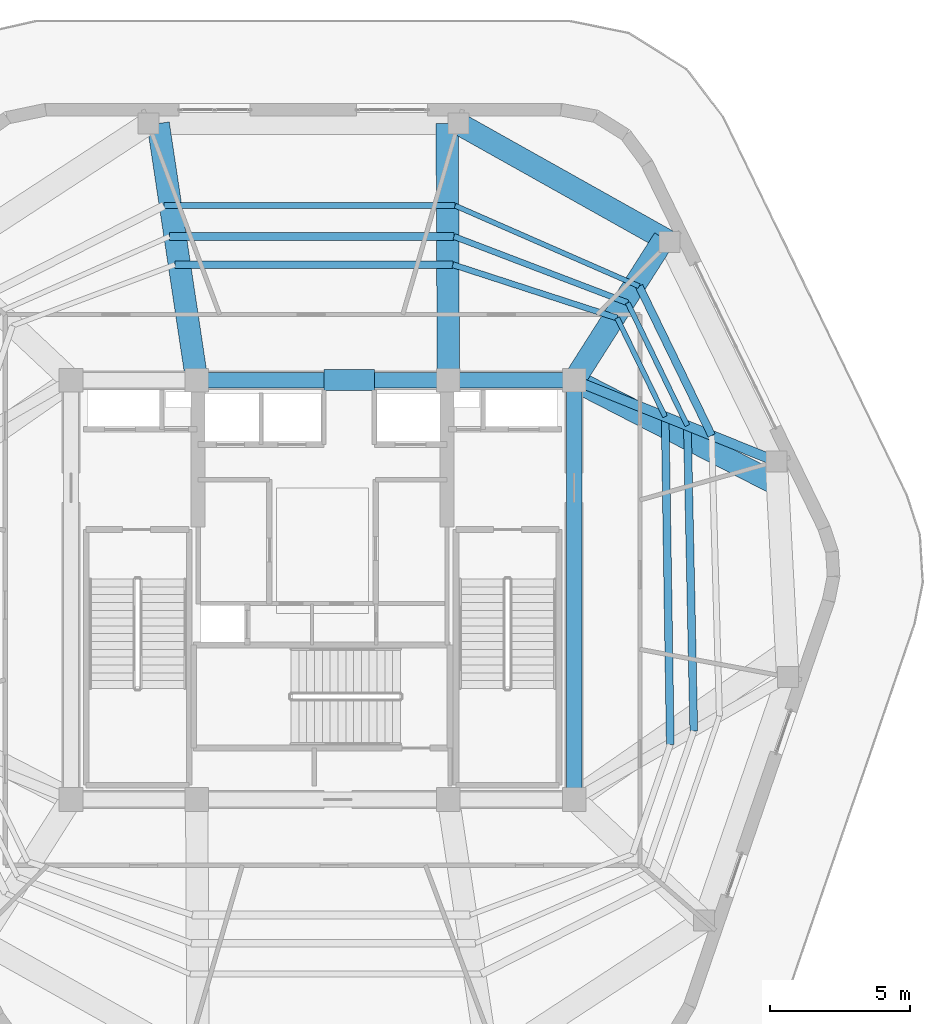
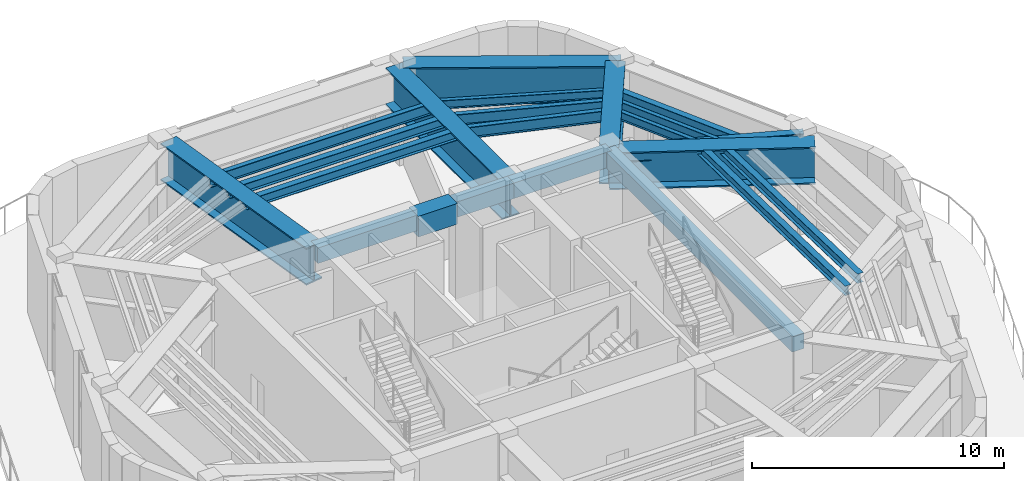
# One storey, part 10 of 24: 21 beams.
"""IFC4 building model written with IfcOpenShell, lengths in metres."""

from ifc_helpers import new_model, si_unit, direction, frame, origin, origin_2d, place, context, subcontext, project, spatial, rectangle, i_section, extrude, material, material_profile, profile_set, type_object, element, save


model = new_model("IFC4")

# Units and contexts
model_context = context("Model", 3, precision=1e-05, world=origin(), true_north=direction((0.0, 1.0)))
body_context = subcontext(model_context, "Body", "Model", "MODEL_VIEW")
ifc_project = project(units=[si_unit("LENGTHUNIT", "METRE"), si_unit("AREAUNIT", "SQUARE_METRE"), si_unit("VOLUMEUNIT", "CUBIC_METRE"), si_unit("PLANEANGLEUNIT", "RADIAN"), si_unit("MASSUNIT", "GRAM", prefix="KILO")], contexts=[model_context])

# Site, building, storey
site_placement = place(None, origin())
site = spatial("IfcSite", under=ifc_project, at=site_placement, CompositionType="ELEMENT")
building_placement = place(site_placement, origin())
building = spatial("IfcBuilding", under=site, at=building_placement, Name="Kilnhurst Terrace Hotel", CompositionType="ELEMENT")
storey_placement = place(building_placement, frame((0.0, 0.0, 305.39990234375)))
storey = spatial("IfcBuildingStorey", under=building, at=storey_placement, Name="L76", CompositionType="ELEMENT", Elevation=305.39990234375)

# Beams
ifc_material_1 = material(Name="Concrete C50/60", Category="concrete")
ifc_material_profile_1 = material_profile(ifc_material_1, rectangle(XDim=0.550048828125, YDim=0.75, at=origin_2d()), Name="RC550X750")
ifc_profile_set_1 = profile_set([ifc_material_profile_1], Name="Concrete C50/60")
beam_type_1 = type_object("IfcBeamType", Name="BM-SPN-550X750", PredefinedType="SPANDREL", material=ifc_profile_set_1)
beam_1_placement = place(storey_placement, frame((-4.5, 7.5, 4.30517578125), z_axis=(1.0, 0.0, 0.0), x_axis=(0.0, 1.0, 0.0)))
element("IfcBeam", 1, at=beam_1_placement, inside=storey, type_object=beam_type_1, Name="L76 Core Tie Beam CC-NC1 to CC-NC2", PredefinedType="SPANDREL", context=body_context, shape_type="SweptSolid", body=[
    extrude(rectangle(XDim=0.550048828125, YDim=0.75, at=origin_2d()), origin(), (0.0, 0.0, 1.0), 9.0),
])
beam_2_placement = place(storey_placement, frame((4.5, 7.5, 4.30517578125), z_axis=(1.0, 0.0, 0.0), x_axis=(0.0, 1.0, 0.0)))
element("IfcBeam", 2, at=beam_2_placement, inside=storey, type_object=beam_type_1, Name="L76 Core Tie Beam CC-NC2 to CC-NE", PredefinedType="SPANDREL", context=body_context, shape_type="SweptSolid", body=[
    extrude(rectangle(XDim=0.550048828125, YDim=0.75, at=origin_2d()), origin(), (0.0, 0.0, 1.0), 4.5),
])
beam_3_placement = place(storey_placement, frame((9.0, -7.5, 4.30517578125), z_axis=(0.0, 1.0, 0.0), x_axis=(-1.0, 0.0, 0.0)))
element("IfcBeam", 3, at=beam_3_placement, inside=storey, type_object=beam_type_1, Name="L76 Core Tie Beam CC-SE to CC-NE", PredefinedType="SPANDREL", context=body_context, shape_type="SweptSolid", body=[
    extrude(rectangle(XDim=0.550048828125, YDim=0.75, at=origin_2d()), origin(), (0.0, 0.0, 1.0), 15.0),
])
ifc_material_2 = material(Name="Steel ASTM A992 Grade 50", Category="steel")
ifc_material_profile_2 = material_profile(ifc_material_2, i_section(OverallWidth=0.354736328125, OverallDepth=0.695556640625, WebThickness=0.015380859375, FlangeThickness=0.025146484375, at=origin_2d()), Name="W27X146")
ifc_profile_set_2 = profile_set([ifc_material_profile_2], Name="Steel ASTM A992 Grade 50")
beam_type_2 = type_object("IfcBeamType", Name="BM-STL-W27X146", PredefinedType="BEAM", material=ifc_profile_set_2)
beam_4_placement = place(storey_placement, frame((9.0, 7.5, 4.33203125), z_axis=(0.927933440457, -0.372745932348, 0.0), x_axis=(0.372745932348, 0.927933440457, 0.0)))
element("IfcBeam", 4, at=beam_4_placement, inside=storey, type_object=beam_type_2, Name="L76 Radial Floor Beam 5", PredefinedType="BEAM", context=body_context, shape_type="SweptSolid", body=[
    extrude(i_section(OverallWidth=0.354736328125, OverallDepth=0.695556640625, WebThickness=0.015380859375, FlangeThickness=0.025146484375, at=origin_2d()), origin(), (0.0, 0.0, 1.0), 7.793701171875),
])
ifc_material_profile_3 = material_profile(ifc_material_2, i_section(OverallWidth=0.180908203125, OverallDepth=0.417236328125, WebThickness=0.010986328125, FlangeThickness=0.018310546875, at=origin_2d()), Name="W16X57")
ifc_profile_set_3 = profile_set([ifc_material_profile_3], Name="Steel ASTM A992 Grade 50")
beam_type_3 = type_object("IfcBeamType", Name="JST-STL-W16X57", PredefinedType="JOIST", material=ifc_profile_set_3)
beam_5_placement = place(storey_placement, frame((11.32421875, 10.861083984375, 4.47119140625), z_axis=(-0.916026239746, 0.401118346746, 0.0), x_axis=(-0.401118346746, -0.916026239746, 0.0)))
element("IfcBeam", 5, at=beam_5_placement, inside=storey, type_object=beam_type_3, Name="L76 Secondary Floor Steel Joist OUT.6", PredefinedType="JOIST", context=body_context, shape_type="SweptSolid", body=[
    extrude(i_section(OverallWidth=0.180908203125, OverallDepth=0.417236328125, WebThickness=0.010986328125, FlangeThickness=0.018310546875, at=origin_2d()), origin(), (0.0, 0.0, 1.0), 7.183349609375),
])
beam_6_placement = place(storey_placement, frame((12.25439453125, 6.19287109375, 4.47119140625), z_axis=(-0.437112375115, 0.899406899863, 0.0), x_axis=(-0.899406899863, -0.437112375115, 0.0)))
element("IfcBeam", 6, at=beam_6_placement, inside=storey, type_object=beam_type_3, Name="L76 Secondary Floor Steel Joist IN.5", PredefinedType="JOIST", context=body_context, shape_type="SweptSolid", body=[
    extrude(i_section(OverallWidth=0.180908203125, OverallDepth=0.417236328125, WebThickness=0.010986328125, FlangeThickness=0.018310546875, at=origin_2d()), origin(), (0.0, 0.0, 1.0), 3.926513671875),
])
beam_7_placement = place(storey_placement, frame((13.0498046875, 5.873291015625, 4.47119140625), z_axis=(-0.437092228786, 0.899416690714, 0.0), x_axis=(-0.899416690714, -0.437092228786, 0.0)))
element("IfcBeam", 7, at=beam_7_placement, inside=storey, type_object=beam_type_3, Name="L76 Secondary Floor Steel Joist MID.5", PredefinedType="JOIST", context=body_context, shape_type="SweptSolid", body=[
    extrude(i_section(OverallWidth=0.180908203125, OverallDepth=0.417236328125, WebThickness=0.010986328125, FlangeThickness=0.018310546875, at=origin_2d()), origin(), (0.0, 0.0, 1.0), 4.88623046875),
])
ifc_material_profile_4 = material_profile(ifc_material_2, i_section(OverallWidth=0.279296875, OverallDepth=0.462890625, WebThickness=0.0107421875, FlangeThickness=0.017333984375, at=origin_2d()), Name="W18X76")
ifc_profile_set_4 = profile_set([ifc_material_profile_4], Name="Steel ASTM A992 Grade 50")
beam_type_4 = type_object("IfcBeamType", Name="JST-STL-W18X76", PredefinedType="JOIST", material=ifc_profile_set_4)
beam_8_placement = place(storey_placement, frame((13.917724609375, 5.524658203125, 4.447998046875), z_axis=(-0.437112271564, 0.899406950189, 0.0), x_axis=(-0.899406950189, -0.437112271564, 0.0)))
element("IfcBeam", 8, at=beam_8_placement, inside=storey, type_object=beam_type_4, Name="L76 Secondary Floor Steel Joist OUT.5", PredefinedType="JOIST", context=body_context, shape_type="SweptSolid", body=[
    extrude(i_section(OverallWidth=0.279296875, OverallDepth=0.462890625, WebThickness=0.0107421875, FlangeThickness=0.017333984375, at=origin_2d()), origin(), (0.0, 0.0, 1.0), 5.933349609375),
])
beam_9_placement = place(storey_placement, frame((12.4384765625, -5.528564453125, 4.447998046875), z_axis=(-0.015702797992, 0.999876703467, 0.0), x_axis=(-0.999876703467, -0.015702797992, 0.0)))
element("IfcBeam", 9, at=beam_9_placement, inside=storey, type_object=beam_type_4, Name="L76 Secondary Floor Steel Joist IN.4", PredefinedType="JOIST", context=body_context, shape_type="SweptSolid", body=[
    extrude(i_section(OverallWidth=0.279296875, OverallDepth=0.462890625, WebThickness=0.0107421875, FlangeThickness=0.017333984375, at=origin_2d()), origin(), (0.0, 0.0, 1.0), 11.722900390625),
])
beam_10_placement = place(storey_placement, frame((4.66162109375, 11.631103515625, 4.447998046875), z_axis=(-1.0, 0.0, 0.0), x_axis=(0.0, -1.0, 0.0)))
element("IfcBeam", 10, at=beam_10_placement, inside=storey, type_object=beam_type_4, Name="L76 Secondary Floor Steel Joist IN.7", PredefinedType="JOIST", context=body_context, shape_type="SweptSolid", body=[
    extrude(i_section(OverallWidth=0.279296875, OverallDepth=0.462890625, WebThickness=0.0107421875, FlangeThickness=0.017333984375, at=origin_2d()), origin(), (0.0, 0.0, 1.0), 9.94189453125),
])
beam_11_placement = place(storey_placement, frame((13.279052734375, -5.046630859375, 4.447998046875), z_axis=(-0.020988936367, 0.999779708011, 0.0), x_axis=(-0.999779708011, -0.020988936367, 0.0)))
element("IfcBeam", 11, at=beam_11_placement, inside=storey, type_object=beam_type_4, Name="L76 Secondary Floor Steel Joist MID.4", PredefinedType="JOIST", context=body_context, shape_type="SweptSolid", body=[
    extrude(i_section(OverallWidth=0.279296875, OverallDepth=0.462890625, WebThickness=0.0107421875, FlangeThickness=0.017333984375, at=origin_2d()), origin(), (0.0, 0.0, 1.0), 10.92236328125),
])
beam_12_placement = place(storey_placement, frame((4.700927734375, 12.640869140625, 4.447998046875), z_axis=(-1.0, 0.0, 0.0), x_axis=(0.0, -1.0, 0.0)))
element("IfcBeam", 12, at=beam_12_placement, inside=storey, type_object=beam_type_4, Name="L76 Secondary Floor Steel Joist MID.7", PredefinedType="JOIST", context=body_context, shape_type="SweptSolid", body=[
    extrude(i_section(OverallWidth=0.279296875, OverallDepth=0.462890625, WebThickness=0.0107421875, FlangeThickness=0.017333984375, at=origin_2d()), origin(), (0.0, 0.0, 1.0), 10.171875),
])
ifc_material_profile_5 = material_profile(ifc_material_2, i_section(OverallWidth=0.2138671875, OverallDepth=0.549072265625, WebThickness=0.0146484375, FlangeThickness=0.023681640625, at=origin_2d()), Name="W21X93")
ifc_profile_set_5 = profile_set([ifc_material_profile_5], Name="Steel ASTM A992 Grade 50")
beam_type_5 = type_object("IfcBeamType", Name="JST-STL-W21X93", PredefinedType="JOIST", material=ifc_profile_set_5)
beam_13_placement = place(storey_placement, frame((4.744140625, 13.742431640625, 4.405029296875), z_axis=(-1.0, 0.0, 0.0), x_axis=(0.0, -1.0, 0.0)))
element("IfcBeam", 13, at=beam_13_placement, inside=storey, type_object=beam_type_5, Name="L76 Secondary Floor Steel Joist OUT.7", PredefinedType="JOIST", context=body_context, shape_type="SweptSolid", body=[
    extrude(i_section(OverallWidth=0.2138671875, OverallDepth=0.549072265625, WebThickness=0.0146484375, FlangeThickness=0.023681640625, at=origin_2d()), origin(), (0.0, 0.0, 1.0), 10.42333984375),
])
beam_14_placement = place(storey_placement, frame((10.5380859375, 9.724365234375, 4.405029296875), z_axis=(-0.951182065755, 0.308630325448, 0.0), x_axis=(-0.308630325448, -0.951182065755, 0.0)))
element("IfcBeam", 14, at=beam_14_placement, inside=storey, type_object=beam_type_5, Name="L76 Secondary Floor Steel Joist IN.6", PredefinedType="JOIST", context=body_context, shape_type="SweptSolid", body=[
    extrude(i_section(OverallWidth=0.2138671875, OverallDepth=0.549072265625, WebThickness=0.0146484375, FlangeThickness=0.023681640625, at=origin_2d()), origin(), (0.0, 0.0, 1.0), 6.177978515625),
])
beam_15_placement = place(storey_placement, frame((10.9140625, 10.26806640625, 4.405029296875), z_axis=(-0.93419258405, 0.356769135305, 0.0), x_axis=(-0.356769135305, -0.93419258405, 0.0)))
element("IfcBeam", 15, at=beam_15_placement, inside=storey, type_object=beam_type_5, Name="L76 Secondary Floor Steel Joist MID.6", PredefinedType="JOIST", context=body_context, shape_type="SweptSolid", body=[
    extrude(i_section(OverallWidth=0.2138671875, OverallDepth=0.549072265625, WebThickness=0.0146484375, FlangeThickness=0.023681640625, at=origin_2d()), origin(), (0.0, 0.0, 1.0), 6.65087890625),
])
ifc_material_3 = material(Name="Concrete C60/75", Category="concrete")
ifc_material_profile_6 = material_profile(ifc_material_3, rectangle(XDim=0.75, YDim=1.0, at=origin_2d()), Name="RC750X1000")
ifc_profile_set_6 = profile_set([ifc_material_profile_6], Name="Concrete C60/75")
beam_type_6 = type_object("IfcBeamType", Name="LNT-CB-750X1000", PredefinedType="LINTEL", material=ifc_profile_set_6)
beam_16_placement = place(storey_placement, frame((0.050048828125, 7.5, 4.18017578125), z_axis=(1.0, 0.0, 0.0), x_axis=(0.0, 1.0, 0.0)))
element("IfcBeam", 16, at=beam_16_placement, inside=storey, type_object=beam_type_6, Name="L76 North Core Coupling Link Beam", PredefinedType="LINTEL", context=body_context, shape_type="SweptSolid", body=[
    extrude(rectangle(XDim=0.75, YDim=1.0, at=origin_2d()), origin(), (0.0, 0.0, 1.0), 1.800048828125),
])
ifc_material_4 = material(Name="Steel ASTM A572 Grade 50", Category="steel")
ifc_material_profile_7 = material_profile(ifc_material_4, i_section(OverallWidth=0.800048828125, OverallDepth=1.800048828125, WebThickness=0.0400390625, FlangeThickness=0.06494140625, at=origin_2d()), Name="PG1800X800")
ifc_profile_set_7 = profile_set([ifc_material_profile_7], Name="Steel ASTM A572 Grade 50")
beam_type_7 = type_object("IfcBeamType", Name="TG-STEP-1800", PredefinedType="USERDEFINED", material=ifc_profile_set_7)
beam_17_placement = place(storey_placement, frame((12.41796875, 12.443115234375, 3.780029296875), z_axis=(-0.872322428961, 0.488931058465, 0.0), x_axis=(-0.488931058465, -0.872322428961, 0.0)))
element("IfcBeam", 17, at=beam_17_placement, inside=storey, type_object=beam_type_7, Name="L76 Zone Step Perimeter Transfer Girder 6", ObjectType="GIRDER", PredefinedType="USERDEFINED", context=body_context, shape_type="SweptSolid", body=[
    extrude(i_section(OverallWidth=0.800048828125, OverallDepth=1.800048828125, WebThickness=0.0400390625, FlangeThickness=0.06494140625, at=origin_2d()), origin(), (0.0, 0.0, 1.0), 8.66552734375),
])
beam_18_placement = place(storey_placement, frame((9.0, 7.5, 3.780029296875), z_axis=(0.889412266307, -0.457105918298, 0.0), x_axis=(0.457105918298, 0.889412266307, 0.0)))
element("IfcBeam", 18, at=beam_18_placement, inside=storey, type_object=beam_type_7, Name="L76 Zone Step Radial Transfer Girder 5", ObjectType="GIRDER", PredefinedType="USERDEFINED", context=body_context, shape_type="SweptSolid", body=[
    extrude(i_section(OverallWidth=0.800048828125, OverallDepth=1.800048828125, WebThickness=0.0400390625, FlangeThickness=0.06494140625, at=origin_2d()), origin(), (0.0, 0.0, 1.0), 8.180908203125),
])
beam_19_placement = place(storey_placement, frame((9.0, 7.5, 3.780029296875), z_axis=(0.536880764507, 0.8436581326, 0.0), x_axis=(-0.8436581326, 0.536880764507, 0.0)))
element("IfcBeam", 19, at=beam_19_placement, inside=storey, type_object=beam_type_7, Name="L76 Zone Step Radial Transfer Girder 6", ObjectType="GIRDER", PredefinedType="USERDEFINED", context=body_context, shape_type="SweptSolid", body=[
    extrude(i_section(OverallWidth=0.800048828125, OverallDepth=1.800048828125, WebThickness=0.0400390625, FlangeThickness=0.06494140625, at=origin_2d()), origin(), (0.0, 0.0, 1.0), 5.992431640625),
])
beam_20_placement = place(storey_placement, frame((4.5, 7.5, 3.780029296875), z_axis=(-0.004521110145, 0.999989779729, 0.0), x_axis=(-0.999989779729, -0.004521110145, 0.0)))
element("IfcBeam", 20, at=beam_20_placement, inside=storey, type_object=beam_type_7, Name="L76 Zone Step Radial Transfer Girder 7", ObjectType="GIRDER", PredefinedType="USERDEFINED", context=body_context, shape_type="SweptSolid", body=[
    extrude(i_section(OverallWidth=0.800048828125, OverallDepth=1.800048828125, WebThickness=0.0400390625, FlangeThickness=0.06494140625, at=origin_2d()), origin(), (0.0, 0.0, 1.0), 9.179931640625),
])
beam_21_placement = place(storey_placement, frame((-4.5, 7.5, 3.780029296875), z_axis=(-0.148696674469, 0.988882854034, 0.0), x_axis=(-0.988882854034, -0.148696674469, 0.0)))
element("IfcBeam", 21, at=beam_21_placement, inside=storey, type_object=beam_type_7, Name="L76 Zone Step Radial Transfer Girder 8", ObjectType="GIRDER", PredefinedType="USERDEFINED", context=body_context, shape_type="SweptSolid", body=[
    extrude(i_section(OverallWidth=0.800048828125, OverallDepth=1.800048828125, WebThickness=0.0400390625, FlangeThickness=0.06494140625, at=origin_2d()), origin(), (0.0, 0.0, 1.0), 9.283203125),
])

save(model, "model.ifc")
